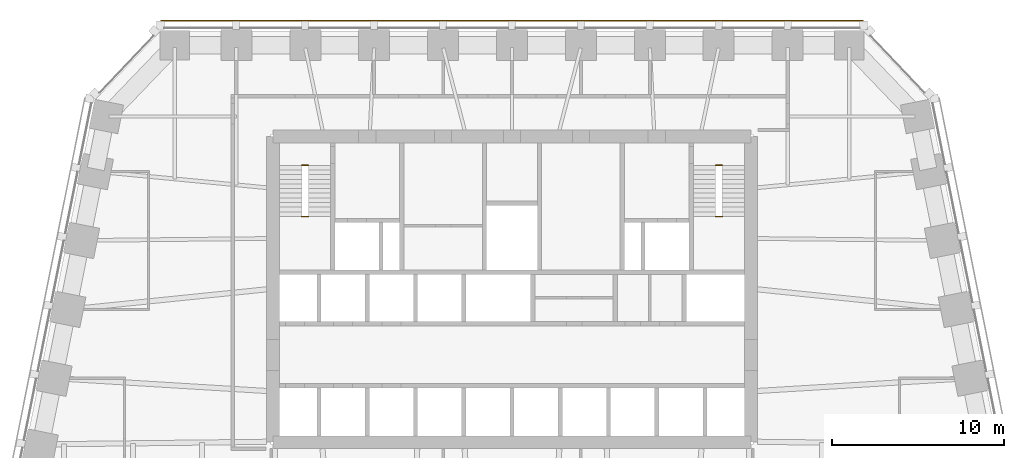
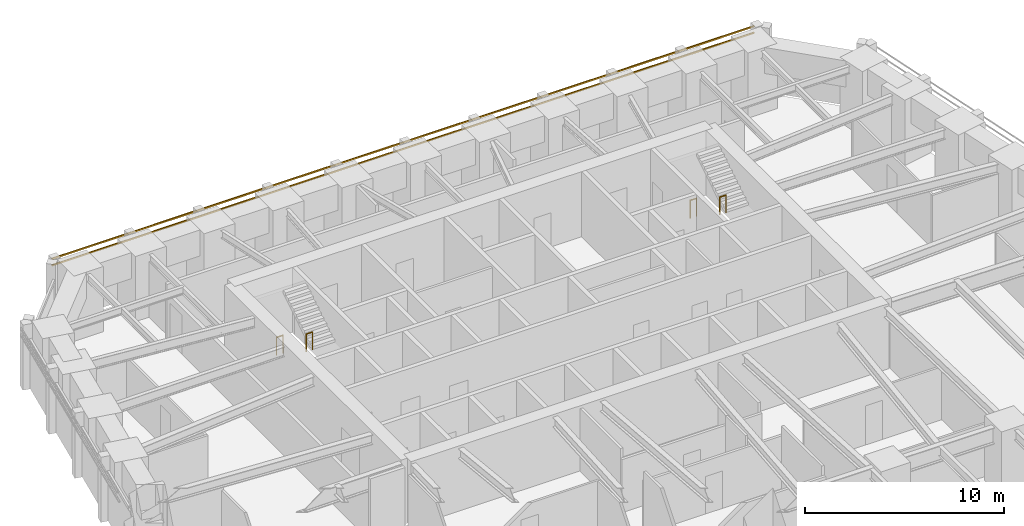
# One storey, part 10 of 10: 4 railings, 2 shading devices.
"""IFC4 building model written with IfcOpenShell, lengths in metres."""

from ifc_helpers import new_model, si_unit, direction, frame, origin, origin_2d, place, context, subcontext, project, spatial, rectangle, circle, extrude, material, material_profile, profile_set, type_object, element, save


model = new_model("IFC4")

# Units and contexts
model_context = context("Model", 3, precision=1e-05, world=origin(), true_north=direction((0.0, 1.0)))
body_context = subcontext(model_context, "Body", "Model", "MODEL_VIEW")
ifc_project = project(units=[si_unit("LENGTHUNIT", "METRE"), si_unit("AREAUNIT", "SQUARE_METRE"), si_unit("VOLUMEUNIT", "CUBIC_METRE"), si_unit("PLANEANGLEUNIT", "RADIAN"), si_unit("MASSUNIT", "GRAM", prefix="KILO")], contexts=[model_context])

# Site, building, storey
site_placement = place(None, origin())
site = spatial("IfcSite", under=ifc_project, at=site_placement, CompositionType="ELEMENT")
building_placement = place(site_placement, origin())
building = spatial("IfcBuilding", under=site, at=building_placement, Name="Isbrekke Arena Tower", CompositionType="ELEMENT")
storey_placement = place(building_placement, frame((0.0, 0.0, 139.0)))
storey = spatial("IfcBuildingStorey", under=building, at=storey_placement, Name="L31", CompositionType="ELEMENT", Elevation=139.0)

# Shading devices
ifc_material_1 = material(Name="Terracotta", Category="masonry")
ifc_material_profile = material_profile(ifc_material_1, rectangle(XDim=0.06005859375, YDim=0.06005859375, at=origin_2d()), Name="BAGUETTE 60X60")
ifc_profile_set = profile_set([ifc_material_profile], Name="Terracotta")
shading_device_type = type_object("IfcShadingDeviceType", Name="BG1 TERRACOTTA BAGUETTE 60 x 60", PredefinedType="USERDEFINED", material=ifc_profile_set)
for number, where, z_axis, x_axis, name in (
    (1, (20.39990234375, 30.60498046875, 3.280029296875), (-1.0, 0.0, 0.0), (0.0, -1.0, 0.0), "BG1 terracotta baguette N1 L31"),
    (2, (20.39990234375, 30.60498046875, 3.679931640625), (-1.0, 0.0, 0.0), (0.0, -1.0, 0.0), "BG1 terracotta baguette N2 L31"),
):
    element("IfcShadingDevice", number, at=place(storey_placement, frame(where, z_axis=z_axis, x_axis=x_axis)), inside=storey, type_object=shading_device_type, Name=name, ObjectType="TERRACOTTA BAGUETTE", PredefinedType="USERDEFINED", context=body_context, shape_type="SweptSolid", body=[
        extrude(rectangle(XDim=0.06005859375, YDim=0.06005859375, at=origin_2d()), origin(), (0.0, 0.0, 1.0), 40.7998046875),
    ])

# Railings
ifc_material_2 = material(Name="Steel stair guard, vertical bars, steel handrail", Category="steel")
railing_type = type_object("IfcRailingType", Name="GR3 STAIR WELL GUARD 1100", PredefinedType="GUARDRAIL", material=ifc_material_2)
for number, where, name in (
    (3, (-12.199951171875, 22.199951171875, 0.0), "GR3 stair well guard ST1 L31"),
    (4, (-12.199951171875, 19.22998046875, 2.0), "GR3 stair well guard ST1 L31"),
    (5, (11.824951171875, 22.199951171875, 0.0), "GR3 stair well guard ST2 L31"),
    (6, (11.824951171875, 19.22998046875, 2.0), "GR3 stair well guard ST2 L31"),
):
    element("IfcRailing", number, at=place(storey_placement, frame(where)), inside=storey, type_object=railing_type, Name=name, PredefinedType="GUARDRAIL", context=body_context, shape_type="SweptSolid", body=[
        extrude(circle(Radius=0.02392578125, at=origin_2d()), frame((0.0, 0.0, 1.076171875), z_axis=(1.0, 0.0, 0.0), x_axis=(0.0, 1.0, 0.0)), (0.0, 0.0, 1.0), 0.375),
        extrude(circle(Radius=0.02099609375, at=origin_2d()), origin(), (0.0, 0.0, 1.0), 1.052001953125),
        extrude(circle(Radius=0.02099609375, at=origin_2d()), frame((0.375, 0.0, 0.0)), (0.0, 0.0, 1.0), 1.052001953125),
    ])

save(model, "model.ifc")
